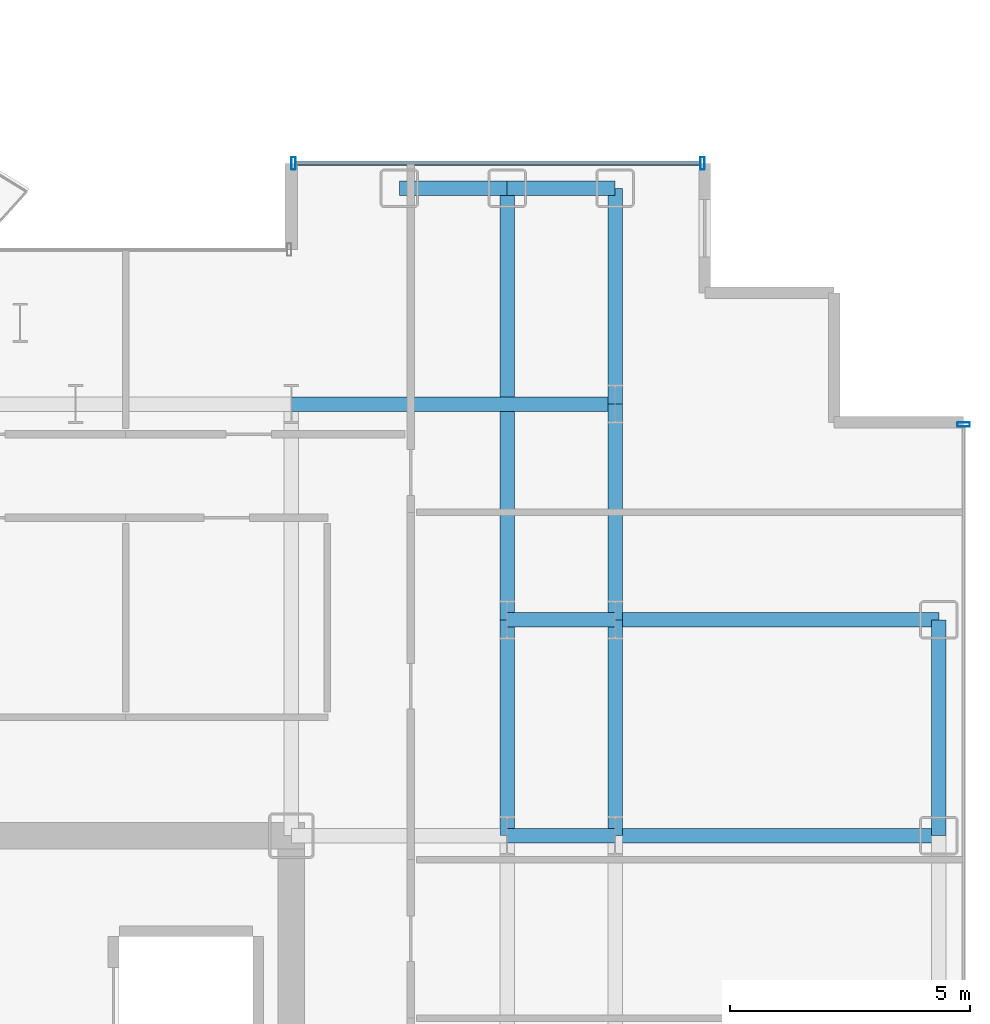
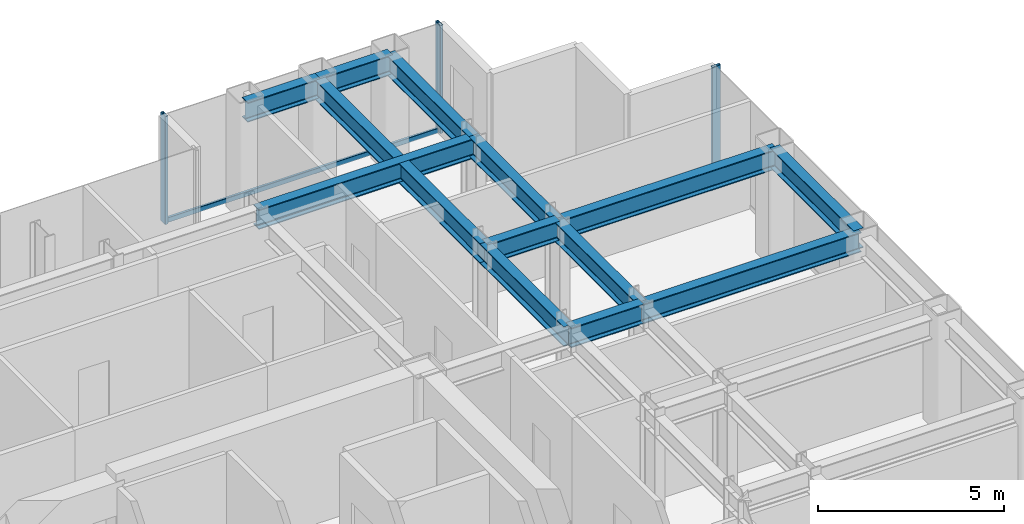
# One storey, part 13 of 22: 13 beams, 4 members, 2 elements without a shape of their own.
"""IFC4 building model written with IfcOpenShell, lengths in metres."""

import ifcopenshell
import ifcopenshell.guid

model = None  # the IFC model being written
_history = None  # IfcOwnerHistory: only IFC2X3 demands one
_inside = {}  # id of a spatial element -> (the spatial element, [elements in it])
_under = {}  # id of a project, library or spatial element -> (it, [spatial elements below it])
_declared = {}  # id of a project -> (the project, [libraries it declares])
_typed = {}  # id of a type object -> (the type object, [elements of that type])
_made_of = {}  # id of a material, layer set ... -> (it, [elements and type objects made of it])


def new_model(schema):
    """Start an empty IFC model of exactly this schema.

    Asked for "IFC4X3", IfcOpenShell would pick the latest addendum, in which some entities
    have other attributes; the version numbers below select the first issue.
    IFC2X3 requires an IfcOwnerHistory on every rooted entity: one is made here for all.
    """
    global model, _history
    if schema == "IFC4X3":
        model = ifcopenshell.file(schema_version=(4, 3, 0, 0))
    else:
        model = ifcopenshell.file(schema=schema)
    _inside.clear()
    _under.clear()
    _declared.clear()
    _typed.clear()
    _made_of.clear()
    _history = None
    if model.schema == "IFC2X3":
        org = make("IfcOrganization", Name="unknown")
        user = make(
            "IfcPersonAndOrganization",
            ThePerson=make("IfcPerson", FamilyName="unknown"),
            TheOrganization=org,
        )
        app = make(
            "IfcApplication",
            ApplicationDeveloper=org,
            Version="unknown",
            ApplicationFullName="unknown",
            ApplicationIdentifier="unknown",
        )
        _history = make(
            "IfcOwnerHistory",
            OwningUser=user,
            OwningApplication=app,
            ChangeAction="ADDED",
            CreationDate=0,
        )
    return model


def make(cls, **values):
    """One entity of the class cls with the attributes given. An attribute that is None is left unset."""
    return model.create_entity(
        cls, **{name: value for name, value in values.items() if value is not None}
    )


def rooted(cls, **values):
    """An entity with a GlobalId (a new one), such as an element, a storey or a relation."""
    return make(cls, GlobalId=ifcopenshell.guid.new(), OwnerHistory=_history, **values)


def si_unit(unit_type, name, prefix=None):
    """IfcSIUnit, for example si_unit("LENGTHUNIT", "METRE", prefix="MILLI")."""
    return make("IfcSIUnit", UnitType=unit_type, Prefix=prefix, Name=name)


def assignment(units):
    """IfcUnitAssignment: the units of a project."""
    return None if units is None else make("IfcUnitAssignment", Units=units)


def point(xyz):
    """IfcCartesianPoint."""
    return None if xyz is None else make("IfcCartesianPoint", Coordinates=xyz)


def direction(xyz):
    """IfcDirection."""
    return None if xyz is None else make("IfcDirection", DirectionRatios=xyz)


def frame(location, z_axis=None, x_axis=None):
    """IfcAxis2Placement3D, a coordinate frame: its origin and axes. An axis left out is left unset."""
    return make(
        "IfcAxis2Placement3D",
        Location=point(location),
        Axis=direction(z_axis),
        RefDirection=direction(x_axis),
    )


def frame_2d(location, x_axis=None):
    """IfcAxis2Placement2D, a coordinate frame in the plane: its origin and x axis."""
    return make(
        "IfcAxis2Placement2D", Location=point(location), RefDirection=direction(x_axis)
    )


def origin():
    """The frame at (0, 0, 0) with its axes left unset."""
    return frame((0.0, 0.0, 0.0))


def origin_2d():
    """The frame at (0, 0) in the plane with its x axis left unset."""
    return frame_2d((0.0, 0.0))


def place(relative_to, where):
    """IfcLocalPlacement: puts the frame where relative to a parent placement (None: the world)."""
    return make(
        "IfcLocalPlacement", PlacementRelTo=relative_to, RelativePlacement=where
    )


def context(
    kind, dimensions, precision=None, world=None, true_north=None, identifier=None
):
    """IfcGeometricRepresentationContext, for example the 3D "Model" context."""
    return make(
        "IfcGeometricRepresentationContext",
        ContextIdentifier=identifier,
        ContextType=kind,
        CoordinateSpaceDimension=dimensions,
        Precision=precision,
        WorldCoordinateSystem=world,
        TrueNorth=true_north,
    )


def subcontext(parent, identifier, kind, view, scale=None):
    """IfcGeometricRepresentationSubContext, for example "Body" below "Model"."""
    return make(
        "IfcGeometricRepresentationSubContext",
        ContextIdentifier=identifier,
        ContextType=kind,
        ParentContext=parent,
        TargetScale=scale,
        TargetView=view,
    )


def project(units=None, contexts=None):
    """IfcProject with its units and contexts."""
    return rooted(
        "IfcProject",
        Name="project",
        RepresentationContexts=contexts,
        UnitsInContext=assignment(units),
    )


def spatial(cls, under=None, at=None, **own):
    """A site, building, storey or space (cls), placed at a placement, below another one or the project."""
    s = rooted(cls, ObjectPlacement=at, **own)
    if under is not None:
        _under.setdefault(under.id(), (under, []))[1].append(s)
    return s


def profile(cls, at=None, kind="AREA", **sizes):
    """A parametric profile (cls). Its sizes go by their IFC names, for example OverallWidth=200.0."""
    return make(cls, ProfileType=kind, Position=at, **sizes)


def hollow_rectangle(**sizes):
    """IfcRectangleHollowProfileDef."""
    return profile("IfcRectangleHollowProfileDef", **sizes)


def i_section(**sizes):
    """IfcIShapeProfileDef."""
    return profile("IfcIShapeProfileDef", **sizes)


def extrude(swept, where, along, depth):
    """IfcExtrudedAreaSolid: the profile swept, set in the frame where, extruded along a direction by depth."""
    return make(
        "IfcExtrudedAreaSolid",
        SweptArea=swept,
        Position=where,
        ExtrudedDirection=direction(along),
        Depth=depth,
    )


def shape(context_of_items, identifier, shape_type, items):
    """IfcShapeRepresentation: the items that make up one representation, for example the "Body"."""
    return make(
        "IfcShapeRepresentation",
        ContextOfItems=context_of_items,
        RepresentationIdentifier=identifier,
        RepresentationType=shape_type,
        Items=items,
    )


def source(mapping_origin, context_of_items, identifier, shape_type, items):
    """IfcRepresentationMap: a shape defined once, which mapped items show again and again."""
    return make(
        "IfcRepresentationMap",
        MappingOrigin=mapping_origin,
        MappedRepresentation=shape(context_of_items, identifier, shape_type, items),
    )


def transform(
    local_origin,
    x_axis=None,
    y_axis=None,
    z_axis=None,
    scale=None,
    scale2=None,
    scale3=None,
    uniform=True,
):
    """IfcCartesianTransformationOperator3D, or its non-uniform kind. x_axis, y_axis, z_axis: its Axis1, 2, 3."""
    if uniform:
        return make(
            "IfcCartesianTransformationOperator3D",
            Axis1=direction(x_axis),
            Axis2=direction(y_axis),
            LocalOrigin=point(local_origin),
            Scale=scale,
            Axis3=direction(z_axis),
        )
    return make(
        "IfcCartesianTransformationOperator3DnonUniform",
        Axis1=direction(x_axis),
        Axis2=direction(y_axis),
        LocalOrigin=point(local_origin),
        Scale=scale,
        Axis3=direction(z_axis),
        Scale2=scale2,
        Scale3=scale3,
    )


def mapped(mapping_source, mapping_target):
    """IfcMappedItem: shows the shape of a source again, moved by a transform."""
    return make(
        "IfcMappedItem", MappingSource=mapping_source, MappingTarget=mapping_target
    )


def material(Name=None, Category=None):
    """IfcMaterial."""
    return make("IfcMaterial", Name=Name, Category=Category)


def layer(
    of_material, thickness, ventilated=None, Name=None, Category=None, Priority=None
):
    """IfcMaterialLayer: one layer of a wall or slab, of a material (None: an air gap)."""
    return make(
        "IfcMaterialLayer",
        Material=of_material,
        LayerThickness=thickness,
        IsVentilated=ventilated,
        Name=Name,
        Category=Category,
        Priority=Priority,
    )


def layer_set(layers, Name=None):
    """IfcMaterialLayerSet."""
    return make("IfcMaterialLayerSet", MaterialLayers=layers, LayerSetName=Name)


def material_profile(
    of_material, cross_section, Name=None, Category=None, Priority=None
):
    """IfcMaterialProfile: a cross section and its material."""
    return make(
        "IfcMaterialProfile",
        Name=Name,
        Material=of_material,
        Profile=cross_section,
        Priority=Priority,
        Category=Category,
    )


def profile_set(profiles, Name=None, composite=None):
    """IfcMaterialProfileSet."""
    return make(
        "IfcMaterialProfileSet",
        Name=Name,
        MaterialProfiles=profiles,
        CompositeProfile=composite,
    )


def made_of(thing, what):
    """Note that an element or type object is made of a material, layer set ...; save() writes the relation."""
    if what is not None:
        _made_of.setdefault(what.id(), (what, []))[1].append(thing)
    return thing


def type_object(cls, material=None, **own):
    """A type object (cls), such as IfcWallType, which elements share."""
    return made_of(rooted(cls, **own), material)


def element(
    cls,
    number,
    at=None,
    inside=None,
    cuts=None,
    type_object=None,
    material=None,
    context=None,
    identifier="Body",
    shape_type=None,
    held_by="IfcProductDefinitionShape",
    body=None,
    shapes=None,
    **own,
):
    """One element of the class cls, such as IfcWall. Its Tag is "e" and its number.

    at: its placement. inside: the storey or other place that contains it. cuts: it is an
    opening in that element (IfcRelVoidsElement). A single representation is given by context,
    identifier, shape_type and body (its items); several are given by shapes. held_by: the class
    of the entity that holds the representations. save() writes the other relations.
    """
    e = rooted(cls, Tag="e%d" % number, ObjectPlacement=at, **own)
    if body is not None:
        shapes = [shape(context, identifier, shape_type, body)]
    if shapes is not None:
        e.Representation = make(held_by, Representations=shapes)
    if inside is not None:
        _inside.setdefault(inside.id(), (inside, []))[1].append(e)
    if cuts is not None:
        rooted(
            "IfcRelVoidsElement", RelatingBuildingElement=cuts, RelatedOpeningElement=e
        )
    if type_object is not None:
        _typed.setdefault(type_object.id(), (type_object, []))[1].append(e)
    return made_of(e, material)


def aggregate(whole, parts):
    """IfcRelAggregates: a whole, such as a stair, and the parts it consists of."""
    return rooted("IfcRelAggregates", RelatingObject=whole, RelatedObjects=parts)


def save(model, path):
    """Write the relations noted so far, then the file.

    IfcRelAggregates (storeys below a building ...), IfcRelContainedInSpatialStructure (elements
    in a storey), IfcRelDefinesByType, IfcRelAssociatesMaterial and IfcRelDeclares: one each for
    every whole, place, type object, material and project.
    """
    for whole, parts in _under.values():
        aggregate(whole, parts)
    for where, things in _inside.values():
        rooted(
            "IfcRelContainedInSpatialStructure",
            RelatedElements=things,
            RelatingStructure=where,
        )
    for kind, things in _typed.values():
        rooted("IfcRelDefinesByType", RelatedObjects=things, RelatingType=kind)
    for what, things in _made_of.values():
        rooted("IfcRelAssociatesMaterial", RelatedObjects=things, RelatingMaterial=what)
    for by, libraries in _declared.values():
        rooted("IfcRelDeclares", RelatingContext=by, RelatedDefinitions=libraries)
    model.write(path)


model = new_model("IFC4")

# Units and contexts
model_context = context("Model", 3, precision=1e-05, world=origin(), true_north=direction((0.0, 1.0)))
body_context = subcontext(model_context, "Body", "Model", "MODEL_VIEW")
ifc_project = project(units=[si_unit("LENGTHUNIT", "METRE"), si_unit("AREAUNIT", "SQUARE_METRE"), si_unit("VOLUMEUNIT", "CUBIC_METRE"), si_unit("PLANEANGLEUNIT", "RADIAN"), si_unit("MASSUNIT", "GRAM", prefix="KILO")], contexts=[model_context])

# Site, building, storey
site_placement = place(None, origin())
site = spatial("IfcSite", under=ifc_project, at=site_placement, CompositionType="ELEMENT")
building_placement = place(site_placement, origin())
building = spatial("IfcBuilding", under=site, at=building_placement, Name="Nefas-Gora Pilgrimage Tower", CompositionType="ELEMENT")
storey_placement = place(building_placement, frame((0.0, 0.0, 179.199951171875)))
storey = spatial("IfcBuildingStorey", under=building, at=storey_placement, Name="L44", CompositionType="ELEMENT", Elevation=179.199951171875)

# Beams
ifc_material_1 = material(Name="Steel S355", Category="steel")
ifc_material_profile_1 = material_profile(ifc_material_1, i_section(OverallWidth=0.300048828125, OverallDepth=0.64990234375, WebThickness=0.01611328125, FlangeThickness=0.031005859375, FilletRadius=0.027099609375, at=origin_2d()), Name="HEB 650")
ifc_profile_set_1 = profile_set([ifc_material_profile_1], Name="Steel S355")
beam_type_1 = type_object("IfcBeamType", Name="BM-SPN-HEB500", PredefinedType="SPANDREL", material=ifc_profile_set_1)
shared_shape_1 = source(origin(), body_context, "Body", "SweptSolid", [
    extrude(i_section(OverallWidth=0.300048828125, OverallDepth=0.64990234375, WebThickness=0.01611328125, FlangeThickness=0.031005859375, FilletRadius=0.027099609375, at=origin_2d()), origin(), (0.0, 0.0, 1.0), 4.5),
])
beam_1_placement = place(storey_placement, frame((24.75, 9.0, 3.22509765625), z_axis=(0.0, 1.0, 0.0), x_axis=(-1.0, 0.0, 0.0)))
element("IfcBeam", 1, at=beam_1_placement, inside=storey, type_object=beam_type_1, Name="L44 SP-02 beam", PredefinedType="SPANDREL", context=body_context, shape_type="MappedRepresentation", body=[
    mapped(shared_shape_1, transform((0.0, 0.0, 0.0), x_axis=(1.0, 0.0, 0.0), y_axis=(0.0, 1.0, 0.0), z_axis=(0.0, 0.0, 1.0), scale=1.0)),
])
ifc_material_profile_2 = material_profile(ifc_material_1, i_section(OverallWidth=0.300048828125, OverallDepth=0.64990234375, WebThickness=0.01611328125, FlangeThickness=0.031005859375, FilletRadius=0.027099609375, at=origin_2d()), Name="HEB 650")
ifc_profile_set_2 = profile_set([ifc_material_profile_2], Name="Steel S355")
beam_type_2 = type_object("IfcBeamType", Name="BM-GIR-HEB650", PredefinedType="BEAM", material=ifc_profile_set_2)
shared_shape_2 = source(origin(), body_context, "Body", "SweptSolid", [
    extrude(i_section(OverallWidth=0.300048828125, OverallDepth=0.64990234375, WebThickness=0.01611328125, FlangeThickness=0.031005859375, FilletRadius=0.027099609375, at=origin_2d()), origin(), (0.0, 0.0, 1.0), 9.0),
])
beam_2_placement = place(storey_placement, frame((15.75, 13.5, 3.22509765625), z_axis=(0.0, 1.0, 0.0), x_axis=(-1.0, 0.0, 0.0)))
element("IfcBeam", 2, at=beam_2_placement, inside=storey, type_object=beam_type_2, Name="L44 G-03 beam", PredefinedType="BEAM", context=body_context, shape_type="MappedRepresentation", body=[
    mapped(shared_shape_2, transform((0.0, 0.0, 0.0), x_axis=(1.0, 0.0, 0.0), y_axis=(0.0, 1.0, 0.0), z_axis=(0.0, 0.0, 1.0), scale=1.0)),
])
shared_shape_3 = source(origin(), body_context, "Body", "SweptSolid", [
    extrude(i_section(OverallWidth=0.300048828125, OverallDepth=0.64990234375, WebThickness=0.01611328125, FlangeThickness=0.031005859375, FilletRadius=0.027099609375, at=origin_2d()), origin(), (0.0, 0.0, 1.0), 4.5),
])
for number, where, z_axis, x_axis, name in (
    (3, (15.75, 9.0, 3.22509765625), (0.0, 1.0, 0.0), (-1.0, 0.0, 0.0), "L44 G-03 beam"),
    (4, (18.0, 9.0, 3.22509765625), (0.0, 1.0, 0.0), (-1.0, 0.0, 0.0), "L44 G-03 beam"),
    (5, (18.0, 13.5, 3.22509765625), (0.0, 1.0, 0.0), (-1.0, 0.0, 0.0), "L44 G-03 beam"),
    (6, (18.0, 18.0, 3.22509765625), (0.0, 1.0, 0.0), (-1.0, 0.0, 0.0), "L44 G-03 beam"),
):
    element("IfcBeam", number, at=place(storey_placement, frame(where, z_axis=z_axis, x_axis=x_axis)), inside=storey, type_object=beam_type_2, Name=name, PredefinedType="BEAM", context=body_context, shape_type="MappedRepresentation", body=[
        mapped(shared_shape_3, transform((0.0, 0.0, 0.0), x_axis=(1.0, 0.0, 0.0), y_axis=(0.0, 1.0, 0.0), z_axis=(0.0, 0.0, 1.0), scale=1.0)),
    ])
shared_shape_4 = source(origin(), body_context, "Body", "SweptSolid", [
    extrude(i_section(OverallWidth=0.300048828125, OverallDepth=0.64990234375, WebThickness=0.01611328125, FlangeThickness=0.031005859375, FilletRadius=0.027099609375, at=origin_2d()), origin(), (0.0, 0.0, 1.0), 6.75),
])
for number, where, z_axis, x_axis, name in (
    (7, (11.25, 18.0, 3.22509765625), (1.0, 0.0, 0.0), (0.0, 1.0, 0.0), "L44 G-03 beam"),
    (8, (18.0, 9.0, 3.22509765625), (1.0, 0.0, 0.0), (0.0, 1.0, 0.0), "L44 G-03 beam"),
    (9, (18.0, 13.5, 3.22509765625), (1.0, 0.0, 0.0), (0.0, 1.0, 0.0), "L44 G-03 beam"),
):
    element("IfcBeam", number, at=place(storey_placement, frame(where, z_axis=z_axis, x_axis=x_axis)), inside=storey, type_object=beam_type_2, Name=name, PredefinedType="BEAM", context=body_context, shape_type="MappedRepresentation", body=[
        mapped(shared_shape_4, transform((0.0, 0.0, 0.0), x_axis=(1.0, 0.0, 0.0), y_axis=(0.0, 1.0, 0.0), z_axis=(0.0, 0.0, 1.0), scale=1.0)),
    ])
shared_shape_5 = source(origin(), body_context, "Body", "SweptSolid", [
    extrude(i_section(OverallWidth=0.300048828125, OverallDepth=0.64990234375, WebThickness=0.01611328125, FlangeThickness=0.031005859375, FilletRadius=0.027099609375, at=origin_2d()), origin(), (0.0, 0.0, 1.0), 2.25),
])
for number, where, z_axis, x_axis, name in (
    (10, (13.5, 22.5, 3.22509765625), (1.0, 0.0, 0.0), (0.0, 1.0, 0.0), "L44 SP-02 beam"),
    (11, (15.75, 22.5, 3.22509765625), (1.0, 0.0, 0.0), (0.0, 1.0, 0.0), "L44 SP-02 beam"),
):
    element("IfcBeam", number, at=place(storey_placement, frame(where, z_axis=z_axis, x_axis=x_axis)), inside=storey, type_object=beam_type_1, Name=name, PredefinedType="SPANDREL", context=body_context, shape_type="MappedRepresentation", body=[
        mapped(shared_shape_5, transform((0.0, 0.0, 0.0), x_axis=(1.0, 0.0, 0.0), y_axis=(0.0, 1.0, 0.0), z_axis=(0.0, 0.0, 1.0), scale=1.0)),
    ])
shared_shape_6 = source(origin(), body_context, "Body", "SweptSolid", [
    extrude(i_section(OverallWidth=0.300048828125, OverallDepth=0.64990234375, WebThickness=0.01611328125, FlangeThickness=0.031005859375, FilletRadius=0.027099609375, at=origin_2d()), origin(), (0.0, 0.0, 1.0), 2.25),
])
for number, where, z_axis, x_axis, name in (
    (12, (15.75, 9.0, 3.22509765625), (1.0, 0.0, 0.0), (0.0, 1.0, 0.0), "L44 G-03 beam"),
    (13, (15.75, 13.5, 3.22509765625), (1.0, 0.0, 0.0), (0.0, 1.0, 0.0), "L44 G-03 beam"),
):
    element("IfcBeam", number, at=place(storey_placement, frame(where, z_axis=z_axis, x_axis=x_axis)), inside=storey, type_object=beam_type_2, Name=name, PredefinedType="BEAM", context=body_context, shape_type="MappedRepresentation", body=[
        mapped(shared_shape_6, transform((0.0, 0.0, 0.0), x_axis=(1.0, 0.0, 0.0), y_axis=(0.0, 1.0, 0.0), z_axis=(0.0, 0.0, 1.0), scale=1.0)),
    ])

# Curtain wall, member
ifc_material_2 = material(Name="Dark ceramic-fritted solar-control aluminium-glass curtain wall", Category="aluminium")
ifc_layer = layer(ifc_material_2, 0.219970703125)
ifc_layer_set = layer_set([ifc_layer], Name="Dark ceramic-fritted solar-control aluminium-glass curtain wall")
curtain_wall_type = type_object("IfcCurtainWallType", Name="CW-SYS-3", PredefinedType="NOTDEFINED", material=ifc_layer_set)
curtain_wall_1_placement = place(storey_placement, origin())
curtain_wall_1 = element("IfcCurtainWall", 14, at=curtain_wall_1_placement, inside=storey, type_object=curtain_wall_type, Name="L44 Unitised Curtain Wall CW3", PredefinedType="NOTDEFINED")
ifc_material_3 = material(Name="Anodised architectural aluminium", Category="aluminium")
ifc_material_profile_3 = material_profile(ifc_material_3, hollow_rectangle(XDim=0.090087890625, YDim=0.260009765625, WallThickness=0.006103515625, InnerFilletRadius=0.006103515625, OuterFilletRadius=0.011962890625, at=origin_2d()), Name="ALU MULLION 90x260")
ifc_profile_set_3 = profile_set([ifc_material_profile_3], Name="Anodised architectural aluminium")
member_type_1 = type_object("IfcMemberType", Name="CWM-MUL-3", PredefinedType="MULLION", material=ifc_profile_set_3)
shared_shape_7 = source(origin(), body_context, "Body", "SweptSolid", [
    extrude(hollow_rectangle(XDim=0.090087890625, YDim=0.260009765625, WallThickness=0.006103515625, InnerFilletRadius=0.006103515625, OuterFilletRadius=0.011962890625, at=origin_2d()), origin(), (0.0, 0.0, 1.0), 3.550048828125),
])
member_1_placement = place(storey_placement, frame((25.27001953125, 17.574951171875, 0.0), z_axis=(0.0, 0.0, 1.0), x_axis=(0.0, 1.0, 0.0)))
member_1 = element("IfcMember", 15, at=member_1_placement, type_object=member_type_1, Name="CW3 Mullion 2", PredefinedType="MULLION", context=body_context, shape_type="MappedRepresentation", body=[
    mapped(shared_shape_7, transform((0.0, 0.0, 0.0), x_axis=(1.0, 0.0, 0.0), y_axis=(0.0, 1.0, 0.0), z_axis=(0.0, 0.0, 1.0), scale=1.0)),
])
aggregate(curtain_wall_1, [member_1])

# Curtain wall, members
curtain_wall_2_placement = place(storey_placement, origin())
curtain_wall_2 = element("IfcCurtainWall", 16, at=curtain_wall_2_placement, inside=storey, type_object=curtain_wall_type, Name="L44 Unitised Curtain Wall CW3", PredefinedType="NOTDEFINED")
member_2_placement = place(storey_placement, frame((19.824951171875, 23.02001953125, 0.0), z_axis=(0.0, 0.0, 1.0), x_axis=(-1.0, 0.0, 0.0)))
member_2 = element("IfcMember", 17, at=member_2_placement, type_object=member_type_1, Name="CW3 Mullion 1", PredefinedType="MULLION", context=body_context, shape_type="MappedRepresentation", body=[
    mapped(shared_shape_7, transform((0.0, 0.0, 0.0), x_axis=(1.0, 0.0, 0.0), y_axis=(0.0, 1.0, 0.0), z_axis=(0.0, 0.0, 1.0), scale=1.0)),
])
member_3_placement = place(storey_placement, frame((11.294921875, 23.02001953125, 0.0), z_axis=(0.0, 0.0, 1.0), x_axis=(-1.0, 0.0, 0.0)))
member_3 = element("IfcMember", 18, at=member_3_placement, type_object=member_type_1, Name="CW3 Mullion 2", PredefinedType="MULLION", context=body_context, shape_type="MappedRepresentation", body=[
    mapped(shared_shape_7, transform((0.0, 0.0, 0.0), x_axis=(1.0, 0.0, 0.0), y_axis=(0.0, 1.0, 0.0), z_axis=(0.0, 0.0, 1.0), scale=1.0)),
])
ifc_material_profile_4 = material_profile(ifc_material_3, hollow_rectangle(XDim=0.080078125, YDim=0.159912109375, WallThickness=0.00439453125, InnerFilletRadius=0.00439453125, OuterFilletRadius=0.009033203125, at=origin_2d()), Name="ALU TRANSOM 80x160")
ifc_profile_set_4 = profile_set([ifc_material_profile_4], Name="Anodised architectural aluminium")
member_type_2 = type_object("IfcMemberType", Name="CWM-TRN-3", PredefinedType="USERDEFINED", material=ifc_profile_set_4)
shared_shape_8 = source(origin(), body_context, "Body", "SweptSolid", [
    extrude(hollow_rectangle(XDim=0.080078125, YDim=0.159912109375, WallThickness=0.00439453125, InnerFilletRadius=0.00439453125, OuterFilletRadius=0.009033203125, at=origin_2d()), origin(), (0.0, 0.0, 1.0), 8.43994140625),
])
member_4_placement = place(storey_placement, frame((19.780029296875, 23.02001953125, 0.050048828125), z_axis=(-1.0, 0.0, 0.0), x_axis=(0.0, -1.0, 0.0)))
member_4 = element("IfcMember", 19, at=member_4_placement, type_object=member_type_2, Name="CW3 Spandrel Transom", ObjectType="TRANSOM", PredefinedType="USERDEFINED", context=body_context, shape_type="MappedRepresentation", body=[
    mapped(shared_shape_8, transform((0.0, 0.0, 0.0), x_axis=(1.0, 0.0, 0.0), y_axis=(0.0, 1.0, 0.0), z_axis=(0.0, 0.0, 1.0), scale=1.0)),
])
aggregate(curtain_wall_2, [member_2, member_3, member_4])

save(model, "model.ifc")
